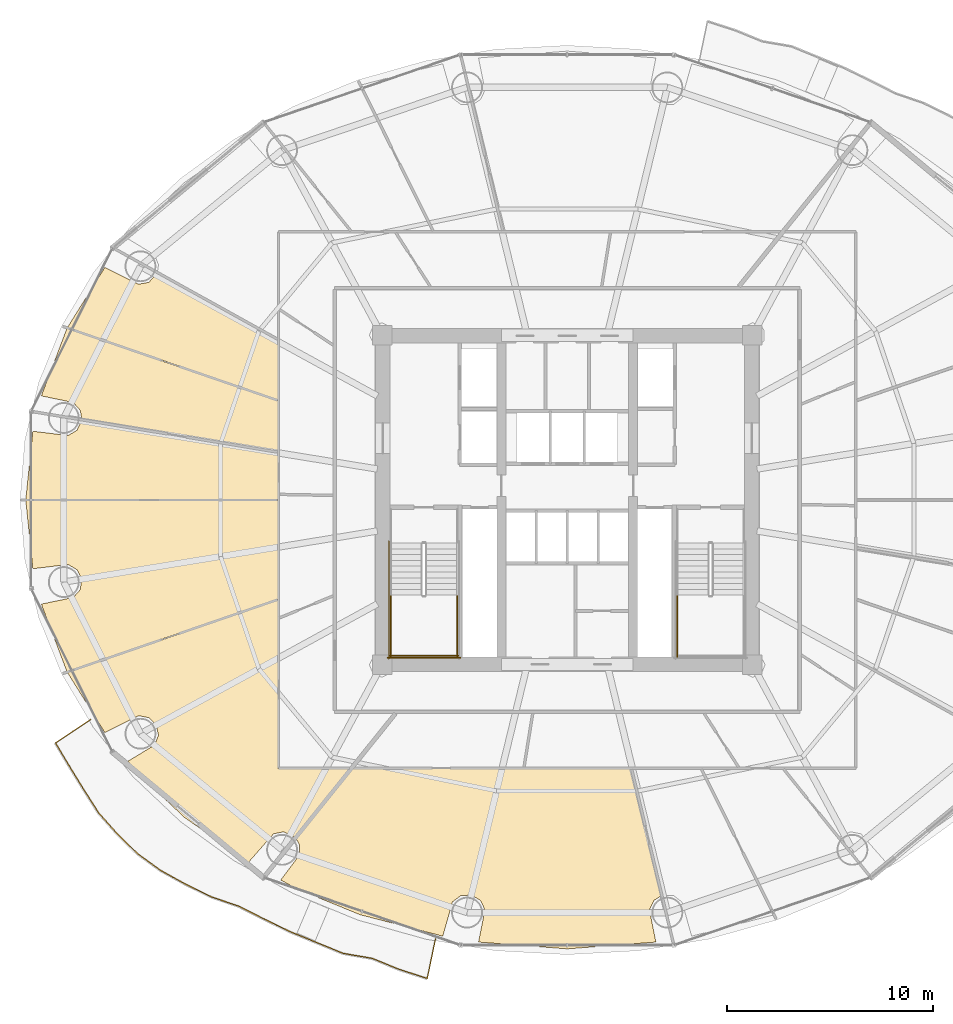
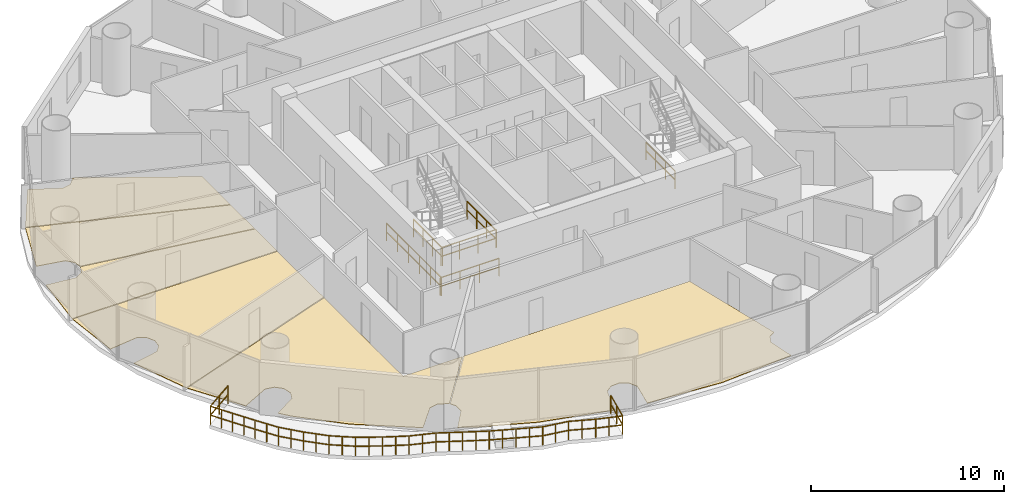
# One storey, part 26 of 29: 7 railings, 6 coverings.
"""IFC4 building model written with IfcOpenShell, lengths in metres."""

from ifc_helpers import new_model, si_unit, direction, frame, origin, origin_2d, place, context, subcontext, project, spatial, polyline, rectangle, outline, extrude, material, layer, layer_set, type_object, element, save


model = new_model("IFC4")

# Units and contexts
model_context = context("Model", 3, precision=1e-05, world=origin(), true_north=direction((-0.2419218956, 0.970295726276)))
body_context = subcontext(model_context, "Body", "Model", "MODEL_VIEW")
ifc_project = project(units=[si_unit("LENGTHUNIT", "METRE"), si_unit("AREAUNIT", "SQUARE_METRE"), si_unit("VOLUMEUNIT", "CUBIC_METRE"), si_unit("PLANEANGLEUNIT", "RADIAN"), si_unit("MASSUNIT", "GRAM", prefix="KILO")], contexts=[model_context])

# Site, building, storey
site_placement = place(None, origin())
site = spatial("IfcSite", under=ifc_project, at=site_placement, CompositionType="ELEMENT")
building_placement = place(site_placement, origin())
building = spatial("IfcBuilding", under=site, at=building_placement, Name="Cobrevalo Terracotta Tower", CompositionType="ELEMENT")
storey_placement = place(building_placement, frame((0.0, 0.0, 115.800048828125)))
storey = spatial("IfcBuildingStorey", under=building, at=storey_placement, Name="L30", CompositionType="ELEMENT", Elevation=115.800048828125)

# Railing
ifc_material_1 = material(Name="Laminated structural glass and stainless steel", Category="steel")
railing_type_1 = type_object("IfcRailingType", Name="Balcony lobe structural glass & terracotta-cap balustrade 1180 mm", PredefinedType="BALUSTRADE", material=ifc_material_1)
railing_1_placement = place(storey_placement, frame((14.839599609375, 16.134765625, 0.0)))
element("IfcRailing", 1, at=railing_1_placement, inside=storey, type_object=railing_type_1, Name="L30 spiralling balcony lobe balustrade 2", PredefinedType="BALUSTRADE", context=body_context, shape_type="SweptSolid", body=[
    extrude(rectangle(XDim=0.048095703125, YDim=0.048095703125, at=origin_2d()), frame((0.0, 0.0, 1.15576171875), z_axis=(-0.832086758384, -0.55464549626, 0.0), x_axis=(0.55464549626, -0.832086758384, 0.0)), (0.0, 0.0, 1.0), 2.06005859375),
    extrude(rectangle(XDim=0.048095703125, YDim=0.048095703125, at=origin_2d()), frame((0.0, 0.0, 0.58984375), z_axis=(-0.832086758384, -0.55464549626, 0.0), x_axis=(0.55464549626, -0.832086758384, 0.0)), (0.0, 0.0, 1.0), 2.06005859375),
    extrude(rectangle(XDim=0.048095703125, YDim=0.048095703125, at=origin_2d()), frame((-1.714111328125, -1.142578125, 1.15576171875), z_axis=(0.512251835255, -0.858835291123, 0.0), x_axis=(0.858835291123, 0.512251835255, 0.0)), (0.0, 0.0, 1.0), 1.31298828125),
    extrude(rectangle(XDim=0.048095703125, YDim=0.048095703125, at=origin_2d()), frame((-1.714111328125, -1.142578125, 0.58984375), z_axis=(0.512251835255, -0.858835291123, 0.0), x_axis=(0.858835291123, 0.512251835255, 0.0)), (0.0, 0.0, 1.0), 1.31298828125),
    extrude(rectangle(XDim=0.048095703125, YDim=0.048095703125, at=origin_2d()), frame((-1.04150390625, -2.270263671875, 1.15576171875), z_axis=(0.523924083499, -0.851764964488, 0.0), x_axis=(0.851764964488, 0.523924083499, 0.0)), (0.0, 0.0, 1.0), 1.3359375),
    extrude(rectangle(XDim=0.048095703125, YDim=0.048095703125, at=origin_2d()), frame((-1.04150390625, -2.270263671875, 0.58984375), z_axis=(0.523924083499, -0.851764964488, 0.0), x_axis=(0.851764964488, 0.523924083499, 0.0)), (0.0, 0.0, 1.0), 1.3359375),
    extrude(rectangle(XDim=0.048095703125, YDim=0.048095703125, at=origin_2d()), frame((-0.341552734375, -3.408203125, 1.15576171875), z_axis=(0.538207508454, -0.84281236218, 0.0), x_axis=(0.84281236218, 0.538207508454, 0.0)), (0.0, 0.0, 1.0), 1.351318359375),
    extrude(rectangle(XDim=0.048095703125, YDim=0.048095703125, at=origin_2d()), frame((-0.341552734375, -3.408203125, 0.58984375), z_axis=(0.538207508454, -0.84281236218, 0.0), x_axis=(0.84281236218, 0.538207508454, 0.0)), (0.0, 0.0, 1.0), 1.351318359375),
    extrude(rectangle(XDim=0.048095703125, YDim=0.048095703125, at=origin_2d()), frame((0.3857421875, -4.547119140625, 1.15576171875), z_axis=(0.663865639912, -0.747851865107, 0.0), x_axis=(0.747851865107, 0.663865639912, 0.0)), (0.0, 0.0, 1.0), 1.369140625),
    extrude(rectangle(XDim=0.048095703125, YDim=0.048095703125, at=origin_2d()), frame((0.3857421875, -4.547119140625, 0.58984375), z_axis=(0.663865639912, -0.747851865107, 0.0), x_axis=(0.747851865107, 0.663865639912, 0.0)), (0.0, 0.0, 1.0), 1.369140625),
    extrude(rectangle(XDim=0.048095703125, YDim=0.048095703125, at=origin_2d()), frame((1.294677734375, -5.571044921875, 1.15576171875), z_axis=(0.715788468745, -0.698317168636, 0.0), x_axis=(0.698317168636, 0.715788468745, 0.0)), (0.0, 0.0, 1.0), 1.369384765625),
    extrude(rectangle(XDim=0.048095703125, YDim=0.048095703125, at=origin_2d()), frame((1.294677734375, -5.571044921875, 0.58984375), z_axis=(0.715788468745, -0.698317168636, 0.0), x_axis=(0.698317168636, 0.715788468745, 0.0)), (0.0, 0.0, 1.0), 1.369384765625),
    extrude(rectangle(XDim=0.048095703125, YDim=0.048095703125, at=origin_2d()), frame((2.27490234375, -6.52734375, 1.15576171875), z_axis=(0.809461369893, -0.587173135157, 0.0), x_axis=(0.587173135157, 0.809461369893, 0.0)), (0.0, 0.0, 1.0), 1.381591796875),
    extrude(rectangle(XDim=0.048095703125, YDim=0.048095703125, at=origin_2d()), frame((2.27490234375, -6.52734375, 0.58984375), z_axis=(0.809461369893, -0.587173135157, 0.0), x_axis=(0.587173135157, 0.809461369893, 0.0)), (0.0, 0.0, 1.0), 1.381591796875),
    extrude(rectangle(XDim=0.048095703125, YDim=0.048095703125, at=origin_2d()), frame((3.393310546875, -7.338623046875, 1.15576171875), z_axis=(0.875126811732, -0.48389364884, 0.0), x_axis=(0.48389364884, 0.875126811732, 0.0)), (0.0, 0.0, 1.0), 1.399169921875),
    extrude(rectangle(XDim=0.048095703125, YDim=0.048095703125, at=origin_2d()), frame((3.393310546875, -7.338623046875, 0.58984375), z_axis=(0.875126811732, -0.48389364884, 0.0), x_axis=(0.48389364884, 0.875126811732, 0.0)), (0.0, 0.0, 1.0), 1.399169921875),
    extrude(rectangle(XDim=0.048095703125, YDim=0.048095703125, at=origin_2d()), frame((4.61767578125, -8.015625, 1.15576171875), z_axis=(0.898164927291, -0.439658689649, 0.0), x_axis=(0.439658689649, 0.898164927291, 0.0)), (0.0, 0.0, 1.0), 1.385986328125),
    extrude(rectangle(XDim=0.048095703125, YDim=0.048095703125, at=origin_2d()), frame((4.61767578125, -8.015625, 0.58984375), z_axis=(0.898164927291, -0.439658689649, 0.0), x_axis=(0.439658689649, 0.898164927291, 0.0)), (0.0, 0.0, 1.0), 1.385986328125),
    extrude(rectangle(XDim=0.048095703125, YDim=0.048095703125, at=origin_2d()), frame((5.862548828125, -8.625, 1.15576171875), z_axis=(0.945967042914, -0.324262784976, 0.0), x_axis=(0.324262784976, 0.945967042914, 0.0)), (0.0, 0.0, 1.0), 1.419921875),
    extrude(rectangle(XDim=0.048095703125, YDim=0.048095703125, at=origin_2d()), frame((5.862548828125, -8.625, 0.58984375), z_axis=(0.945967042914, -0.324262784976, 0.0), x_axis=(0.324262784976, 0.945967042914, 0.0)), (0.0, 0.0, 1.0), 1.419921875),
    extrude(rectangle(XDim=0.048095703125, YDim=0.048095703125, at=origin_2d()), frame((7.205810546875, -9.08544921875, 1.15576171875), z_axis=(0.892508786745, -0.451030005192, 0.0), x_axis=(0.451030005192, 0.892508786745, 0.0)), (0.0, 0.0, 1.0), 1.38037109375),
    extrude(rectangle(XDim=0.048095703125, YDim=0.048095703125, at=origin_2d()), frame((7.205810546875, -9.08544921875, 0.58984375), z_axis=(0.892508786745, -0.451030005192, 0.0), x_axis=(0.451030005192, 0.892508786745, 0.0)), (0.0, 0.0, 1.0), 1.38037109375),
    extrude(rectangle(XDim=0.048095703125, YDim=0.048095703125, at=origin_2d()), frame((8.437744140625, -9.7080078125, 1.15576171875), z_axis=(0.899201376812, -0.437535008815, 0.0), x_axis=(0.437535008815, 0.899201376812, 0.0)), (0.0, 0.0, 1.0), 1.385986328125),
    extrude(rectangle(XDim=0.048095703125, YDim=0.048095703125, at=origin_2d()), frame((8.437744140625, -9.7080078125, 0.58984375), z_axis=(0.899201376812, -0.437535008815, 0.0), x_axis=(0.437535008815, 0.899201376812, 0.0)), (0.0, 0.0, 1.0), 1.385986328125),
    extrude(rectangle(XDim=0.048095703125, YDim=0.048095703125, at=origin_2d()), frame((9.68408203125, -10.314453125, 1.15576171875), z_axis=(0.925146646309, -0.379609908753, 0.0), x_axis=(0.379609908753, 0.925146646309, 0.0)), (0.0, 0.0, 1.0), 1.400634765625),
    extrude(rectangle(XDim=0.048095703125, YDim=0.048095703125, at=origin_2d()), frame((9.68408203125, -10.314453125, 0.58984375), z_axis=(0.925146646309, -0.379609908753, 0.0), x_axis=(0.379609908753, 0.925146646309, 0.0)), (0.0, 0.0, 1.0), 1.400634765625),
    extrude(rectangle(XDim=0.048095703125, YDim=0.048095703125, at=origin_2d()), frame((10.97998046875, -10.84619140625, 1.15576171875), z_axis=(0.926148788732, -0.377158350205, 0.0), x_axis=(0.377158350205, 0.926148788732, 0.0)), (0.0, 0.0, 1.0), 1.3994140625),
    extrude(rectangle(XDim=0.048095703125, YDim=0.048095703125, at=origin_2d()), frame((10.97998046875, -10.84619140625, 0.58984375), z_axis=(0.926148788732, -0.377158350205, 0.0), x_axis=(0.377158350205, 0.926148788732, 0.0)), (0.0, 0.0, 1.0), 1.3994140625),
    extrude(rectangle(XDim=0.048095703125, YDim=0.048095703125, at=origin_2d()), frame((12.276123046875, -11.3740234375, 1.15576171875), z_axis=(0.985591284016, -0.169144378775, 0.0), x_axis=(0.169144378775, 0.985591284016, 0.0)), (0.0, 0.0, 1.0), 1.426025390625),
    extrude(rectangle(XDim=0.048095703125, YDim=0.048095703125, at=origin_2d()), frame((12.276123046875, -11.3740234375, 0.58984375), z_axis=(0.985591284016, -0.169144378775, 0.0), x_axis=(0.169144378775, 0.985591284016, 0.0)), (0.0, 0.0, 1.0), 1.426025390625),
    extrude(rectangle(XDim=0.048095703125, YDim=0.048095703125, at=origin_2d()), frame((13.681640625, -11.615234375, 1.15576171875), z_axis=(0.925743522265, -0.378151994553, 0.0), x_axis=(0.378151994553, 0.925743522265, 0.0)), (0.0, 0.0, 1.0), 1.423583984375),
    extrude(rectangle(XDim=0.048095703125, YDim=0.048095703125, at=origin_2d()), frame((13.681640625, -11.615234375, 0.58984375), z_axis=(0.925743522265, -0.378151994553, 0.0), x_axis=(0.378151994553, 0.925743522265, 0.0)), (0.0, 0.0, 1.0), 1.423583984375),
    extrude(rectangle(XDim=0.048095703125, YDim=0.048095703125, at=origin_2d()), frame((14.99951171875, -12.153564453125, 1.15576171875), z_axis=(0.951984038197, -0.306147662113, 0.0), x_axis=(0.306147662113, 0.951984038197, 0.0)), (0.0, 0.0, 1.0), 1.4267578125),
    extrude(rectangle(XDim=0.048095703125, YDim=0.048095703125, at=origin_2d()), frame((14.99951171875, -12.153564453125, 0.58984375), z_axis=(0.951984038197, -0.306147662113, 0.0), x_axis=(0.306147662113, 0.951984038197, 0.0)), (0.0, 0.0, 1.0), 1.4267578125),
    extrude(rectangle(XDim=0.048095703125, YDim=0.048095703125, at=origin_2d()), frame((16.357666015625, -12.59033203125, 1.15576171875), z_axis=(0.20307906668, 0.97916234235, 0.0), x_axis=(-0.97916234235, 0.20307906668, 0.0)), (0.0, 0.0, 1.0), 1.960693359375),
    extrude(rectangle(XDim=0.048095703125, YDim=0.048095703125, at=origin_2d()), frame((16.357666015625, -12.59033203125, 0.58984375), z_axis=(0.20307906668, 0.97916234235, 0.0), x_axis=(-0.97916234235, 0.20307906668, 0.0)), (0.0, 0.0, 1.0), 1.960693359375),
    extrude(rectangle(XDim=0.0419921875, YDim=0.0419921875, at=origin_2d()), origin(), (0.0, 0.0, 1.0), 1.1318359375),
    extrude(rectangle(XDim=0.0419921875, YDim=0.0419921875, at=origin_2d()), frame((-0.85693359375, -0.5712890625, 0.0)), (0.0, 0.0, 1.0), 1.1318359375),
    extrude(rectangle(XDim=0.0419921875, YDim=0.0419921875, at=origin_2d()), frame((-1.714111328125, -1.142578125, 0.0)), (0.0, 0.0, 1.0), 1.1318359375),
    extrude(rectangle(XDim=0.0419921875, YDim=0.0419921875, at=origin_2d()), frame((-1.3779296875, -1.70654296875, 0.0)), (0.0, 0.0, 1.0), 1.1318359375),
    extrude(rectangle(XDim=0.0419921875, YDim=0.0419921875, at=origin_2d()), frame((-1.04150390625, -2.270263671875, 0.0)), (0.0, 0.0, 1.0), 1.1318359375),
    extrude(rectangle(XDim=0.0419921875, YDim=0.0419921875, at=origin_2d()), frame((-0.69140625, -2.83935546875, 0.0)), (0.0, 0.0, 1.0), 1.1318359375),
    extrude(rectangle(XDim=0.0419921875, YDim=0.0419921875, at=origin_2d()), frame((-0.341552734375, -3.408203125, 0.0)), (0.0, 0.0, 1.0), 1.1318359375),
    extrude(rectangle(XDim=0.0419921875, YDim=0.0419921875, at=origin_2d()), frame((0.02197265625, -3.9775390625, 0.0)), (0.0, 0.0, 1.0), 1.1318359375),
    extrude(rectangle(XDim=0.0419921875, YDim=0.0419921875, at=origin_2d()), frame((0.3857421875, -4.547119140625, 0.0)), (0.0, 0.0, 1.0), 1.1318359375),
    extrude(rectangle(XDim=0.0419921875, YDim=0.0419921875, at=origin_2d()), frame((0.84033203125, -5.05908203125, 0.0)), (0.0, 0.0, 1.0), 1.1318359375),
    extrude(rectangle(XDim=0.0419921875, YDim=0.0419921875, at=origin_2d()), frame((1.294677734375, -5.571044921875, 0.0)), (0.0, 0.0, 1.0), 1.1318359375),
    extrude(rectangle(XDim=0.0419921875, YDim=0.0419921875, at=origin_2d()), frame((1.78466796875, -6.04931640625, 0.0)), (0.0, 0.0, 1.0), 1.1318359375),
    extrude(rectangle(XDim=0.0419921875, YDim=0.0419921875, at=origin_2d()), frame((2.27490234375, -6.52734375, 0.0)), (0.0, 0.0, 1.0), 1.1318359375),
    extrude(rectangle(XDim=0.0419921875, YDim=0.0419921875, at=origin_2d()), frame((2.833984375, -6.93310546875, 0.0)), (0.0, 0.0, 1.0), 1.1318359375),
    extrude(rectangle(XDim=0.0419921875, YDim=0.0419921875, at=origin_2d()), frame((3.393310546875, -7.338623046875, 0.0)), (0.0, 0.0, 1.0), 1.1318359375),
    extrude(rectangle(XDim=0.0419921875, YDim=0.0419921875, at=origin_2d()), frame((4.00537109375, -7.67724609375, 0.0)), (0.0, 0.0, 1.0), 1.1318359375),
    extrude(rectangle(XDim=0.0419921875, YDim=0.0419921875, at=origin_2d()), frame((4.61767578125, -8.015625, 0.0)), (0.0, 0.0, 1.0), 1.1318359375),
    extrude(rectangle(XDim=0.0419921875, YDim=0.0419921875, at=origin_2d()), frame((5.240234375, -8.3203125, 0.0)), (0.0, 0.0, 1.0), 1.1318359375),
    extrude(rectangle(XDim=0.0419921875, YDim=0.0419921875, at=origin_2d()), frame((5.862548828125, -8.625, 0.0)), (0.0, 0.0, 1.0), 1.1318359375),
    extrude(rectangle(XDim=0.0419921875, YDim=0.0419921875, at=origin_2d()), frame((6.5341796875, -8.855224609375, 0.0)), (0.0, 0.0, 1.0), 1.1318359375),
    extrude(rectangle(XDim=0.0419921875, YDim=0.0419921875, at=origin_2d()), frame((7.205810546875, -9.08544921875, 0.0)), (0.0, 0.0, 1.0), 1.1318359375),
    extrude(rectangle(XDim=0.0419921875, YDim=0.0419921875, at=origin_2d()), frame((7.82177734375, -9.396728515625, 0.0)), (0.0, 0.0, 1.0), 1.1318359375),
    extrude(rectangle(XDim=0.0419921875, YDim=0.0419921875, at=origin_2d()), frame((8.437744140625, -9.7080078125, 0.0)), (0.0, 0.0, 1.0), 1.1318359375),
    extrude(rectangle(XDim=0.0419921875, YDim=0.0419921875, at=origin_2d()), frame((9.06103515625, -10.01123046875, 0.0)), (0.0, 0.0, 1.0), 1.1318359375),
    extrude(rectangle(XDim=0.0419921875, YDim=0.0419921875, at=origin_2d()), frame((9.68408203125, -10.314453125, 0.0)), (0.0, 0.0, 1.0), 1.1318359375),
    extrude(rectangle(XDim=0.0419921875, YDim=0.0419921875, at=origin_2d()), frame((10.33203125, -10.580322265625, 0.0)), (0.0, 0.0, 1.0), 1.1318359375),
    extrude(rectangle(XDim=0.0419921875, YDim=0.0419921875, at=origin_2d()), frame((10.97998046875, -10.84619140625, 0.0)), (0.0, 0.0, 1.0), 1.1318359375),
    extrude(rectangle(XDim=0.0419921875, YDim=0.0419921875, at=origin_2d()), frame((11.6279296875, -11.110107421875, 0.0)), (0.0, 0.0, 1.0), 1.1318359375),
    extrude(rectangle(XDim=0.0419921875, YDim=0.0419921875, at=origin_2d()), frame((12.276123046875, -11.3740234375, 0.0)), (0.0, 0.0, 1.0), 1.1318359375),
    extrude(rectangle(XDim=0.0419921875, YDim=0.0419921875, at=origin_2d()), frame((12.97900390625, -11.49462890625, 0.0)), (0.0, 0.0, 1.0), 1.1318359375),
    extrude(rectangle(XDim=0.0419921875, YDim=0.0419921875, at=origin_2d()), frame((13.681640625, -11.615234375, 0.0)), (0.0, 0.0, 1.0), 1.1318359375),
    extrude(rectangle(XDim=0.0419921875, YDim=0.0419921875, at=origin_2d()), frame((14.340576171875, -11.88427734375, 0.0)), (0.0, 0.0, 1.0), 1.1318359375),
    extrude(rectangle(XDim=0.0419921875, YDim=0.0419921875, at=origin_2d()), frame((14.99951171875, -12.153564453125, 0.0)), (0.0, 0.0, 1.0), 1.1318359375),
    extrude(rectangle(XDim=0.0419921875, YDim=0.0419921875, at=origin_2d()), frame((15.6787109375, -12.3720703125, 0.0)), (0.0, 0.0, 1.0), 1.1318359375),
    extrude(rectangle(XDim=0.0419921875, YDim=0.0419921875, at=origin_2d()), frame((16.357666015625, -12.59033203125, 0.0)), (0.0, 0.0, 1.0), 1.1318359375),
    extrude(rectangle(XDim=0.0419921875, YDim=0.0419921875, at=origin_2d()), frame((16.556640625, -11.63037109375, 0.0)), (0.0, 0.0, 1.0), 1.1318359375),
    extrude(rectangle(XDim=0.0419921875, YDim=0.0419921875, at=origin_2d()), frame((16.755859375, -10.67041015625, 0.0)), (0.0, 0.0, 1.0), 1.1318359375),
])

# Coverings
ifc_material_2 = material(Name="Engineered Brazilian hardwood flooring", Category="wood")
ifc_layer = layer(ifc_material_2, 0.028076171875)
ifc_layer_set = layer_set([ifc_layer], Name="Engineered Brazilian hardwood flooring")
covering_type = type_object("IfcCoveringType", Name="Engineered Hardwood Suite Flooring 28", PredefinedType="FLOORING", material=ifc_layer_set)
covering_1_placement = place(storey_placement, origin())
element("IfcCovering", 2, at=covering_1_placement, inside=storey, type_object=covering_type, Name="Flat L30A South Bedroom floor finish", PredefinedType="FLOORING", context=body_context, shape_type="SweptSolid", body=[
    extrude(outline(polyline([(15.525146484375, 38.10546875), (17.15966796875, 37.286376953125), (17.661865234375, 37.381103515625), (18.0703125, 37.8408203125), (23.945068359375, 34.57958984375), (23.945068359375, 31.657958984375), (13.703125, 35.1826171875), (15.525146484375, 38.10546875)])), origin(), (0.0, 0.0, 1.0), 0.030029296875),
])
covering_2_placement = place(storey_placement, origin())
element("IfcCovering", 3, at=covering_2_placement, inside=storey, type_object=covering_type, Name="Flat L30A Penthouse Family Lounge floor finish", PredefinedType="FLOORING", context=body_context, shape_type="SweptSolid", body=[
    extrude(outline(polyline([(13.6845703125, 35.146728515625), (23.945068359375, 31.61572265625), (23.945068359375, 29.14306640625), (14.402587890625, 30.719970703125), (14.330322265625, 31.154541015625), (13.99267578125, 31.537841796875), (12.435791015625, 31.859619140625), (13.6845703125, 35.146728515625)])), origin(), (0.0, 0.0, 1.0), 0.030029296875),
])
covering_3_placement = place(storey_placement, origin())
element("IfcCovering", 4, at=covering_3_placement, inside=storey, type_object=covering_type, Name="Flat L30A Penthouse Family Lounge floor finish", PredefinedType="FLOORING", context=body_context, shape_type="SweptSolid", body=[
    extrude(outline(polyline([(12.024169921875, 30.143310546875), (13.73095703125, 29.932861328125), (14.1728515625, 30.189208984375), (14.39697265625, 30.680419921875), (23.945068359375, 29.1025390625), (23.945068359375, 26.820068359375), (11.681640625, 26.820068359375), (12.024169921875, 30.143310546875)])), origin(), (0.0, 0.0, 1.0), 0.030029296875),
])
covering_4_placement = place(storey_placement, origin())
element("IfcCovering", 5, at=covering_4_placement, inside=storey, type_object=covering_type, Name="Flat L30A Penthouse Family Lounge floor finish", PredefinedType="FLOORING", context=body_context, shape_type="SweptSolid", body=[
    extrude(outline(polyline([(13.6845703125, 18.453369140625), (12.435791015625, 21.740478515625), (13.99267578125, 22.06201171875), (14.330322265625, 22.445556640625), (14.39794921875, 22.951904296875), (14.1728515625, 23.41064453125), (13.73095703125, 23.6669921875), (12.024169921875, 23.45654296875), (11.681640625, 26.780029296875), (23.945068359375, 26.780029296875), (23.945068359375, 21.984375), (13.6845703125, 18.453369140625)])), origin(), (0.0, 0.0, 1.0), 0.030029296875),
])
covering_5_placement = place(storey_placement, origin())
element("IfcCovering", 6, at=covering_5_placement, inside=storey, type_object=covering_type, Name="Flat L30A Private Cinema Room floor finish", PredefinedType="FLOORING", context=body_context, shape_type="SweptSolid", body=[
    extrude(outline(polyline([(16.64697265625, 14.102294921875), (17.94091796875, 14.88720703125), (18.131591796875, 15.361328125), (18.02685546875, 15.861328125), (17.661865234375, 16.218994140625), (17.15966796875, 16.3134765625), (15.525146484375, 15.49462890625), (13.703125, 18.417236328125), (23.945068359375, 21.94189453125), (23.945068359375, 13.7451171875), (27.47509765625, 13.7451171875), (24.780029296875, 10.393798828125), (24.221923828125, 10.672607421875), (23.72119140625, 10.5712890625), (22.511474609375, 9.193359375), (19.3876953125, 11.372314453125), (17.117919921875, 13.518310546875), (16.64697265625, 14.102294921875)])), origin(), (0.0, 0.0, 1.0), 0.030029296875),
])
covering_6_placement = place(storey_placement, origin())
element("IfcCovering", 7, at=covering_6_placement, inside=storey, type_object=covering_type, Name="Flat L30B Penthouse Living and Dining Room floor finish", PredefinedType="FLOORING", context=body_context, shape_type="SweptSolid", body=[
    extrude(outline(polyline([(38.0, 4.97998046875), (33.6904296875, 5.310791015625), (34.002197265625, 6.87841796875), (33.7802734375, 7.3388671875), (33.340087890625, 7.59814453125), (32.829833984375, 7.5693359375), (32.421875, 7.261962890625), (31.94921875, 5.59814453125), (27.926513671875, 6.641357421875), (24.838623046875, 7.904052734375), (24.07568359375, 8.32666015625), (24.9814453125, 9.543701171875), (24.97998046875, 10.0546875), (24.806640625, 10.36328125), (27.5263671875, 13.7451171875), (41.10498046875, 13.7451171875), (42.5830078125, 7.5712890625), (42.2197265625, 7.3388671875), (41.997802734375, 6.87841796875), (42.3095703125, 5.310791015625), (38.0, 4.97998046875)])), origin(), (0.0, 0.0, 1.0), 0.030029296875),
])

# Railings
ifc_material_3 = material(Name="Painted galvanized steel", Category="steel")
railing_type_2 = type_object("IfcRailingType", Name="Stair Well Guard Balustrade 1150", PredefinedType="GUARDRAIL", material=ifc_material_3)
for number, where, name in (
    (8, (29.425048828125, 22.179931640625, 1.800048828125), "L30 ST-1 stair guard 3"),
    (9, (32.64501953125, 22.179931640625, 1.800048828125), "L30 ST-1 stair guard 4"),
):
    element("IfcRailing", number, at=place(storey_placement, frame(where)), inside=storey, type_object=railing_type_2, Name=name, PredefinedType="GUARDRAIL", context=body_context, shape_type="SweptSolid", body=[
        extrude(rectangle(XDim=0.048095703125, YDim=0.048095703125, at=origin_2d()), frame((0.0, 0.0, 1.1259765625), z_axis=(0.0, -1.0, 0.0), x_axis=(1.0, 0.0, 0.0)), (0.0, 0.0, 1.0), 3.0048828125),
        extrude(rectangle(XDim=0.048095703125, YDim=0.048095703125, at=origin_2d()), frame((0.0, 0.0, 0.574951171875), z_axis=(0.0, -1.0, 0.0), x_axis=(1.0, 0.0, 0.0)), (0.0, 0.0, 1.0), 3.0048828125),
        extrude(rectangle(XDim=0.0419921875, YDim=0.0419921875, at=origin_2d()), origin(), (0.0, 0.0, 1.0), 1.101806640625),
        extrude(rectangle(XDim=0.0419921875, YDim=0.0419921875, at=origin_2d()), frame((0.0, -1.001708984375, 0.0)), (0.0, 0.0, 1.0), 1.101806640625),
        extrude(rectangle(XDim=0.0419921875, YDim=0.0419921875, at=origin_2d()), frame((0.0, -2.003173828125, 0.0)), (0.0, 0.0, 1.0), 1.101806640625),
        extrude(rectangle(XDim=0.0419921875, YDim=0.0419921875, at=origin_2d()), frame((0.0, -3.0048828125, 0.0)), (0.0, 0.0, 1.0), 1.101806640625),
    ])
railing_2_placement = place(storey_placement, frame((29.375, 19.22509765625, 1.800048828125)))
element("IfcRailing", 10, at=railing_2_placement, inside=storey, type_object=railing_type_2, Name="L30 ST-1 stair guard 5", PredefinedType="GUARDRAIL", context=body_context, shape_type="SweptSolid", body=[
    extrude(rectangle(XDim=0.048095703125, YDim=0.048095703125, at=origin_2d()), frame((0.0, 0.0, 1.1259765625), z_axis=(1.0, 0.0, 0.0), x_axis=(0.0, 1.0, 0.0)), (0.0, 0.0, 1.0), 3.320068359375),
    extrude(rectangle(XDim=0.048095703125, YDim=0.048095703125, at=origin_2d()), frame((0.0, 0.0, 0.574951171875), z_axis=(1.0, 0.0, 0.0), x_axis=(0.0, 1.0, 0.0)), (0.0, 0.0, 1.0), 3.320068359375),
    extrude(rectangle(XDim=0.0419921875, YDim=0.0419921875, at=origin_2d()), origin(), (0.0, 0.0, 1.0), 1.101806640625),
    extrude(rectangle(XDim=0.0419921875, YDim=0.0419921875, at=origin_2d()), frame((1.106689453125, 0.0, 0.0)), (0.0, 0.0, 1.0), 1.101806640625),
    extrude(rectangle(XDim=0.0419921875, YDim=0.0419921875, at=origin_2d()), frame((2.21337890625, 0.0, 0.0)), (0.0, 0.0, 1.0), 1.101806640625),
    extrude(rectangle(XDim=0.0419921875, YDim=0.0419921875, at=origin_2d()), frame((3.320068359375, 0.0, 0.0)), (0.0, 0.0, 1.0), 1.101806640625),
])
railing_3_placement = place(storey_placement, frame((29.324951171875, 24.800048828125, 0.0)))
element("IfcRailing", 11, at=railing_3_placement, inside=storey, type_object=railing_type_2, Name="L30 ST-1 stair guard 10", PredefinedType="GUARDRAIL", context=body_context, shape_type="SweptSolid", body=[
    extrude(rectangle(XDim=0.048095703125, YDim=0.048095703125, at=origin_2d()), frame((0.0, 0.0, 1.1259765625), z_axis=(0.0, -1.0, 0.0), x_axis=(1.0, 0.0, 0.0)), (0.0, 0.0, 1.0), 5.72509765625),
    extrude(rectangle(XDim=0.048095703125, YDim=0.048095703125, at=origin_2d()), frame((0.0, 0.0, 0.574951171875), z_axis=(0.0, -1.0, 0.0), x_axis=(1.0, 0.0, 0.0)), (0.0, 0.0, 1.0), 5.72509765625),
    extrude(rectangle(XDim=0.0419921875, YDim=0.0419921875, at=origin_2d()), origin(), (0.0, 0.0, 1.0), 1.101806640625),
    extrude(rectangle(XDim=0.0419921875, YDim=0.0419921875, at=origin_2d()), frame((0.0, -1.14501953125, 0.0)), (0.0, 0.0, 1.0), 1.101806640625),
    extrude(rectangle(XDim=0.0419921875, YDim=0.0419921875, at=origin_2d()), frame((0.0, -2.2900390625, 0.0)), (0.0, 0.0, 1.0), 1.101806640625),
    extrude(rectangle(XDim=0.0419921875, YDim=0.0419921875, at=origin_2d()), frame((0.0, -3.43505859375, 0.0)), (0.0, 0.0, 1.0), 1.101806640625),
    extrude(rectangle(XDim=0.0419921875, YDim=0.0419921875, at=origin_2d()), frame((0.0, -4.580078125, 0.0)), (0.0, 0.0, 1.0), 1.101806640625),
    extrude(rectangle(XDim=0.0419921875, YDim=0.0419921875, at=origin_2d()), frame((0.0, -5.72509765625, 0.0)), (0.0, 0.0, 1.0), 1.101806640625),
])
railing_4_placement = place(storey_placement, frame((29.27490234375, 19.125, 0.0)))
element("IfcRailing", 12, at=railing_4_placement, inside=storey, type_object=railing_type_2, Name="L30 ST-1 stair guard 12", PredefinedType="GUARDRAIL", context=body_context, shape_type="SweptSolid", body=[
    extrude(rectangle(XDim=0.048095703125, YDim=0.048095703125, at=origin_2d()), frame((0.0, 0.0, 1.1259765625), z_axis=(1.0, 0.0, 0.0), x_axis=(0.0, 1.0, 0.0)), (0.0, 0.0, 1.0), 3.52001953125),
    extrude(rectangle(XDim=0.048095703125, YDim=0.048095703125, at=origin_2d()), frame((0.0, 0.0, 0.574951171875), z_axis=(1.0, 0.0, 0.0), x_axis=(0.0, 1.0, 0.0)), (0.0, 0.0, 1.0), 3.52001953125),
    extrude(rectangle(XDim=0.0419921875, YDim=0.0419921875, at=origin_2d()), origin(), (0.0, 0.0, 1.0), 1.101806640625),
    extrude(rectangle(XDim=0.0419921875, YDim=0.0419921875, at=origin_2d()), frame((1.17333984375, 0.0, 0.0)), (0.0, 0.0, 1.0), 1.101806640625),
    extrude(rectangle(XDim=0.0419921875, YDim=0.0419921875, at=origin_2d()), frame((2.3466796875, 0.0, 0.0)), (0.0, 0.0, 1.0), 1.101806640625),
    extrude(rectangle(XDim=0.0419921875, YDim=0.0419921875, at=origin_2d()), frame((3.52001953125, 0.0, 0.0)), (0.0, 0.0, 1.0), 1.101806640625),
])
railing_5_placement = place(storey_placement, frame((43.35498046875, 22.179931640625, 1.800048828125)))
element("IfcRailing", 13, at=railing_5_placement, inside=storey, type_object=railing_type_2, Name="L30 ST-2 stair guard 3", PredefinedType="GUARDRAIL", context=body_context, shape_type="SweptSolid", body=[
    extrude(rectangle(XDim=0.048095703125, YDim=0.048095703125, at=origin_2d()), frame((0.0, 0.0, 1.1259765625), z_axis=(0.0, -1.0, 0.0), x_axis=(1.0, 0.0, 0.0)), (0.0, 0.0, 1.0), 3.0048828125),
    extrude(rectangle(XDim=0.048095703125, YDim=0.048095703125, at=origin_2d()), frame((0.0, 0.0, 0.574951171875), z_axis=(0.0, -1.0, 0.0), x_axis=(1.0, 0.0, 0.0)), (0.0, 0.0, 1.0), 3.0048828125),
    extrude(rectangle(XDim=0.0419921875, YDim=0.0419921875, at=origin_2d()), origin(), (0.0, 0.0, 1.0), 1.101806640625),
    extrude(rectangle(XDim=0.0419921875, YDim=0.0419921875, at=origin_2d()), frame((0.0, -1.001708984375, 0.0)), (0.0, 0.0, 1.0), 1.101806640625),
    extrude(rectangle(XDim=0.0419921875, YDim=0.0419921875, at=origin_2d()), frame((0.0, -2.003173828125, 0.0)), (0.0, 0.0, 1.0), 1.101806640625),
    extrude(rectangle(XDim=0.0419921875, YDim=0.0419921875, at=origin_2d()), frame((0.0, -3.0048828125, 0.0)), (0.0, 0.0, 1.0), 1.101806640625),
])

save(model, "model.ifc")
